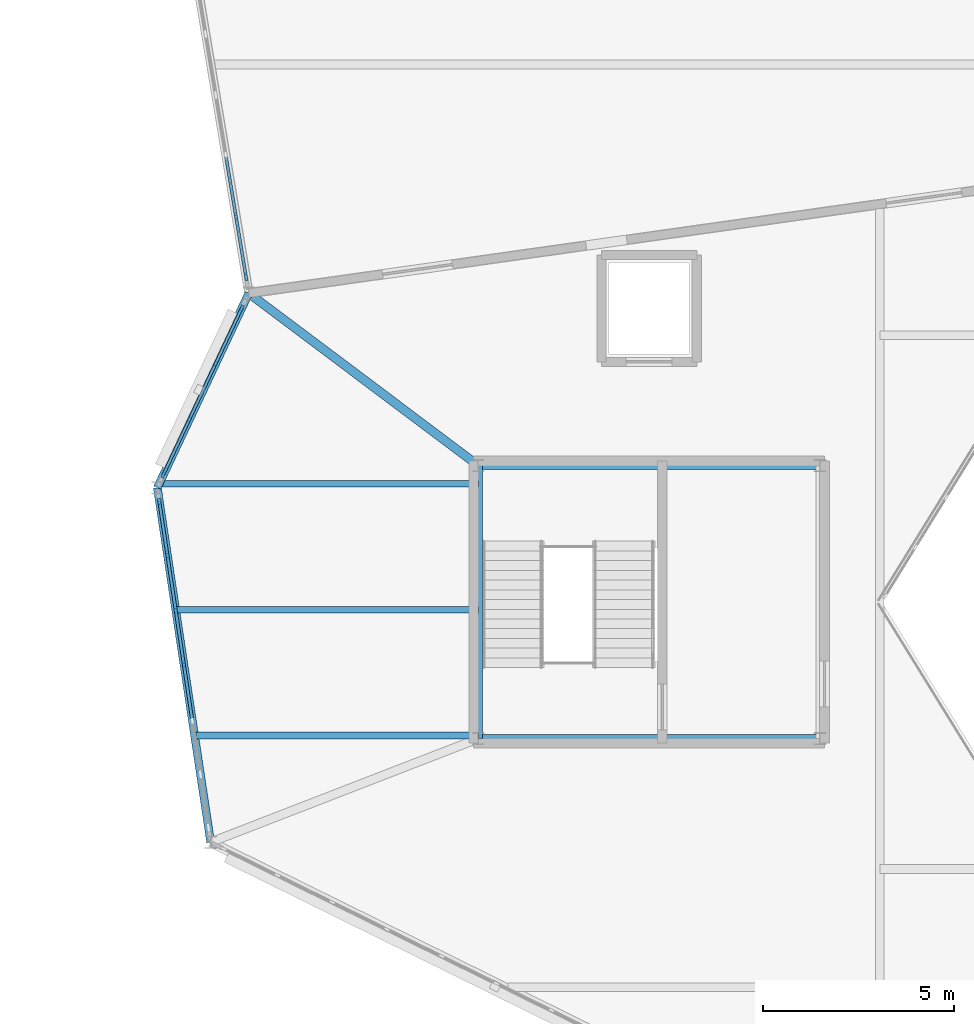
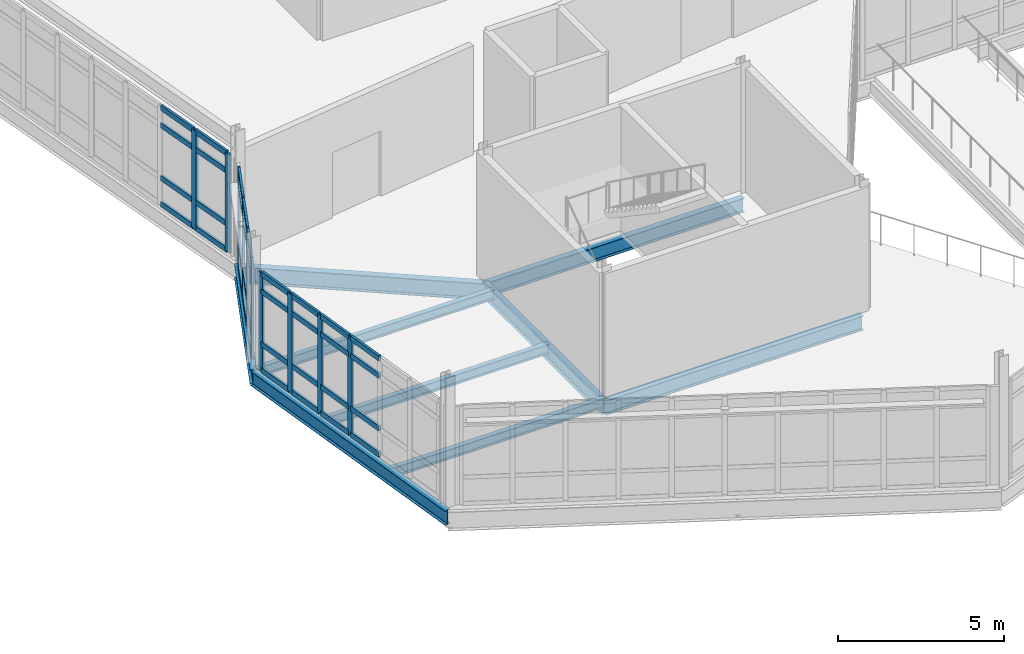
# One storey, part 15 of 76: 46 members, 9 beams, 3 elements without a shape of their own.
"""IFC4 building model written with IfcOpenShell, lengths in metres."""

from ifc_helpers import new_model, si_unit, direction, frame, origin, origin_2d, place, context, subcontext, project, spatial, rectangle, i_section, extrude, material, material_profile, profile_set, type_object, element, aggregate, save


model = new_model("IFC4")

# Units and contexts
model_context = context("Model", 3, precision=1e-05, world=origin(), true_north=direction((0.0, 1.0)))
body_context = subcontext(model_context, "Body", "Model", "MODEL_VIEW")
ifc_project = project(units=[si_unit("LENGTHUNIT", "METRE"), si_unit("AREAUNIT", "SQUARE_METRE"), si_unit("VOLUMEUNIT", "CUBIC_METRE"), si_unit("PLANEANGLEUNIT", "RADIAN"), si_unit("MASSUNIT", "GRAM", prefix="KILO")], contexts=[model_context])

# Site, building, storey
site_placement = place(None, origin())
site = spatial("IfcSite", under=ifc_project, at=site_placement, CompositionType="ELEMENT")
building_placement = place(site_placement, origin())
building = spatial("IfcBuilding", under=site, at=building_placement, Name="Tameran Prism Museum", CompositionType="ELEMENT")
storey_placement = place(building_placement, frame((0.0, 0.0, 15.0)))
storey = spatial("IfcBuildingStorey", under=building, at=storey_placement, Name="L03", CompositionType="ELEMENT", Elevation=15.0)

# Beams
ifc_material_1 = material(Name="Steel Grade 300PLUS (300 MPa)", Category="steel")
ifc_material_profile_1 = material_profile(ifc_material_1, i_section(OverallWidth=0.172119140625, OverallDepth=0.35888671875, WebThickness=0.008056640625, FlangeThickness=0.012939453125, FilletRadius=0.011474609375, at=origin_2d()))
ifc_profile_set_1 = profile_set([ifc_material_profile_1])
beam_type_1 = type_object("IfcBeamType", Name="BM-J360A", PredefinedType="JOIST", material=ifc_profile_set_1)
beam_1_placement = place(storey_placement, frame((50.618896484375, 33.0, -0.37939453125), z_axis=(1.0, 0.0, 0.0), x_axis=(0.0, 1.0, 0.0)))
element("IfcBeam", 1, at=beam_1_placement, inside=storey, type_object=beam_type_1, Name="Floor Beam BM-1083", PredefinedType="JOIST", context=body_context, shape_type="SweptSolid", body=[
    extrude(i_section(OverallWidth=0.172119140625, OverallDepth=0.35888671875, WebThickness=0.008056640625, FlangeThickness=0.012939453125, FilletRadius=0.011474609375, at=origin_2d()), origin(), (0.0, 0.0, 1.0), 7.401123046875),
])
beam_2_placement = place(storey_placement, frame((49.69091796875, 39.60009765625, -0.37939453125), z_axis=(1.0, 0.0, 0.0), x_axis=(0.0, 1.0, 0.0)))
element("IfcBeam", 2, at=beam_2_placement, inside=storey, type_object=beam_type_1, Name="Floor Beam BM-1085", PredefinedType="JOIST", context=body_context, shape_type="SweptSolid", body=[
    extrude(i_section(OverallWidth=0.172119140625, OverallDepth=0.35888671875, WebThickness=0.008056640625, FlangeThickness=0.012939453125, FilletRadius=0.011474609375, at=origin_2d()), origin(), (0.0, 0.0, 1.0), 8.3291015625),
])
ifc_material_2 = material(Name="Steel Grade 300PLUS (300 MPa)", Category="steel")
ifc_material_profile_2 = material_profile(ifc_material_2, i_section(OverallWidth=0.1708984375, OverallDepth=0.35595703125, WebThickness=0.00732421875, FlangeThickness=0.011474609375, FilletRadius=0.011474609375, at=origin_2d()))
ifc_profile_set_2 = profile_set([ifc_material_profile_2])
beam_type_2 = type_object("IfcBeamType", Name="BM-J360B", PredefinedType="JOIST", material=ifc_profile_set_2)
beam_3_placement = place(storey_placement, frame((50.1220703125, 36.300048828125, -0.3779296875), z_axis=(1.0, 0.0, 0.0), x_axis=(0.0, 1.0, 0.0)))
element("IfcBeam", 3, at=beam_3_placement, inside=storey, type_object=beam_type_2, Name="Floor Beam BM-1084", PredefinedType="JOIST", context=body_context, shape_type="SweptSolid", body=[
    extrude(i_section(OverallWidth=0.1708984375, OverallDepth=0.35595703125, WebThickness=0.00732421875, FlangeThickness=0.011474609375, FilletRadius=0.011474609375, at=origin_2d()), origin(), (0.0, 0.0, 1.0), 7.89794921875),
])
ifc_material_3 = material(Name="Steel Grade 300PLUS (300 MPa)", Category="steel")
ifc_material_profile_3 = material_profile(ifc_material_3, i_section(OverallWidth=0.208984375, OverallDepth=0.532958984375, WebThickness=0.01025390625, FlangeThickness=0.015625, FilletRadius=0.013916015625, at=origin_2d()))
ifc_profile_set_3 = profile_set([ifc_material_profile_3])
beam_type_3 = type_object("IfcBeamType", Name="BM-SP530A", PredefinedType="SPANDREL", material=ifc_profile_set_3)
beam_4_placement = place(storey_placement, frame((49.60009765625, 39.5, -0.466552734375), z_axis=(0.148849460064, -0.988859867847, 0.0), x_axis=(0.988859867847, 0.148849460064, 0.0)))
element("IfcBeam", 4, at=beam_4_placement, inside=storey, type_object=beam_type_3, Name="Perimeter Spandrel SP-0955", PredefinedType="SPANDREL", context=body_context, shape_type="SweptSolid", body=[
    extrude(i_section(OverallWidth=0.208984375, OverallDepth=0.532958984375, WebThickness=0.01025390625, FlangeThickness=0.015625, FilletRadius=0.013916015625, at=origin_2d()), origin(), (0.0, 0.0, 1.0), 9.40478515625),
])
ifc_material_4 = material(Name="Steel Grade 300PLUS (300 MPa)", Category="steel")
ifc_material_profile_4 = material_profile(ifc_material_4, i_section(OverallWidth=0.208984375, OverallDepth=0.528076171875, WebThickness=0.009521484375, FlangeThickness=0.01318359375, FilletRadius=0.013916015625, at=origin_2d()))
ifc_profile_set_4 = profile_set([ifc_material_profile_4])
beam_type_4 = type_object("IfcBeamType", Name="BM-SP530B", PredefinedType="SPANDREL", material=ifc_profile_set_4)
beam_5_placement = place(storey_placement, frame((52.0, 44.60009765625, -0.464111328125), z_axis=(-0.425776176805, -0.904828518154, 0.0), x_axis=(0.904828518154, -0.425776176805, 0.0)))
element("IfcBeam", 5, at=beam_5_placement, inside=storey, type_object=beam_type_4, Name="Perimeter Spandrel SP-0960", PredefinedType="SPANDREL", context=body_context, shape_type="SweptSolid", body=[
    extrude(i_section(OverallWidth=0.208984375, OverallDepth=0.528076171875, WebThickness=0.009521484375, FlangeThickness=0.01318359375, FilletRadius=0.013916015625, at=origin_2d()), origin(), (0.0, 0.0, 1.0), 5.636474609375),
])
for number, where, z_axis, x_axis, name in (
    (6, (58.02001953125, 32.919921875, -0.50390625), (1.0, 0.0, 0.0), (0.0, 1.0, 0.0), "Core Ring Beam CTB-1026"),
    (7, (66.97998046875, 40.080078125, -0.50390625), (-1.0, 0.0, 0.0), (0.0, -1.0, 0.0), "Core Ring Beam CTB-1028"),
):
    element("IfcBeam", number, at=place(storey_placement, frame(where, z_axis=z_axis, x_axis=x_axis)), inside=storey, type_object=beam_type_4, Name=name, PredefinedType="SPANDREL", context=body_context, shape_type="SweptSolid", body=[
        extrude(i_section(OverallWidth=0.208984375, OverallDepth=0.528076171875, WebThickness=0.009521484375, FlangeThickness=0.01318359375, FilletRadius=0.013916015625, at=origin_2d()), origin(), (0.0, 0.0, 1.0), 8.9599609375),
    ])
beam_6_placement = place(storey_placement, frame((58.02001953125, 40.080078125, -0.50390625), z_axis=(0.0, -1.0, 0.0), x_axis=(1.0, 0.0, 0.0)))
element("IfcBeam", 8, at=beam_6_placement, inside=storey, type_object=beam_type_4, Name="Core Ring Beam CTB-1029", PredefinedType="SPANDREL", context=body_context, shape_type="SweptSolid", body=[
    extrude(i_section(OverallWidth=0.208984375, OverallDepth=0.528076171875, WebThickness=0.009521484375, FlangeThickness=0.01318359375, FilletRadius=0.013916015625, at=origin_2d()), origin(), (0.0, 0.0, 1.0), 7.16015625),
])
ifc_material_5 = material(Name="Steel Grade 300PLUS (300 MPa)", Category="steel")
ifc_material_profile_5 = material_profile(ifc_material_5, i_section(OverallWidth=0.22900390625, OverallDepth=0.612060546875, WebThickness=0.011962890625, FlangeThickness=0.01953125, FilletRadius=0.013916015625, at=origin_2d()))
ifc_profile_set_5 = profile_set([ifc_material_profile_5])
beam_type_5 = type_object("IfcBeamType", Name="BM-UB610A", PredefinedType="BEAM", material=ifc_profile_set_5)
beam_7_placement = place(storey_placement, frame((58.02001953125, 40.080078125, -0.56005859375), z_axis=(-0.799680766937, 0.600425408349, 0.0), x_axis=(-0.600425408349, -0.799680766937, 0.0)))
element("IfcBeam", 9, at=beam_7_placement, inside=storey, type_object=beam_type_5, Name="Frame Tie Girder FG-1417", PredefinedType="BEAM", context=body_context, shape_type="SweptSolid", body=[
    extrude(i_section(OverallWidth=0.22900390625, OverallDepth=0.612060546875, WebThickness=0.011962890625, FlangeThickness=0.01953125, FilletRadius=0.013916015625, at=origin_2d()), origin(), (0.0, 0.0, 1.0), 7.528076171875),
])

# Curtain wall, members
ifc_material_6 = material(Name="Anodised Aluminium 6063-T6 and Cyclone Solar Glass", Category="aluminium")
curtain_wall_type_1 = type_object("IfcCurtainWallType", Name="CW-FAC-488x362", PredefinedType="USERDEFINED", material=ifc_material_6)
curtain_wall_1_placement = place(storey_placement, origin())
curtain_wall_1 = element("IfcCurtainWall", 10, at=curtain_wall_1_placement, inside=storey, type_object=curtain_wall_type_1, Name="Unitised Curtain Wall CW-137", ObjectType="UNITISED CURTAIN WALL", PredefinedType="USERDEFINED")
ifc_material_7 = material(Name="Anodised Aluminium Alloy 6063-T6", Category="aluminium")
ifc_material_profile_6 = material_profile(ifc_material_7, rectangle(XDim=0.074951171875, YDim=0.199951171875, at=origin_2d()))
ifc_profile_set_6 = profile_set([ifc_material_profile_6])
member_type_1 = type_object("IfcMemberType", Name="CW-MUL-C", PredefinedType="MULLION", material=ifc_profile_set_6)
member_1_placement = place(storey_placement, frame((49.764892578125, 39.850830078125, 0.0), z_axis=(0.0, 0.0, 1.0), x_axis=(-0.904837292661, 0.425757529364, 0.0)))
member_1 = element("IfcMember", 11, at=member_1_placement, type_object=member_type_1, Name="CW-137 mullion 1", PredefinedType="MULLION", context=body_context, shape_type="SweptSolid", body=[
    extrude(rectangle(XDim=0.074951171875, YDim=0.199951171875, at=origin_2d()), origin(), (0.0, 0.0, 1.0), 3.6201171875),
])
member_2_placement = place(storey_placement, frame((50.44091796875, 41.28759765625, 0.0), z_axis=(0.0, 0.0, 1.0), x_axis=(-0.904837292661, 0.425757529364, 0.0)))
member_2 = element("IfcMember", 12, at=member_2_placement, type_object=member_type_1, Name="CW-137 mullion 2", PredefinedType="MULLION", context=body_context, shape_type="SweptSolid", body=[
    extrude(rectangle(XDim=0.074951171875, YDim=0.199951171875, at=origin_2d()), origin(), (0.0, 0.0, 1.0), 3.6201171875),
])
member_3_placement = place(storey_placement, frame((51.133056640625, 42.75830078125, 0.0), z_axis=(0.0, 0.0, 1.0), x_axis=(-0.904837292661, 0.425757529364, 0.0)))
member_3 = element("IfcMember", 13, at=member_3_placement, type_object=member_type_1, Name="CW-137 mullion 3", PredefinedType="MULLION", context=body_context, shape_type="SweptSolid", body=[
    extrude(rectangle(XDim=0.074951171875, YDim=0.199951171875, at=origin_2d()), origin(), (0.0, 0.0, 1.0), 3.6201171875),
])
member_4_placement = place(storey_placement, frame((51.80908203125, 44.195068359375, 0.0), z_axis=(0.0, 0.0, 1.0), x_axis=(-0.904837292661, 0.425757529364, 0.0)))
member_4 = element("IfcMember", 14, at=member_4_placement, type_object=member_type_1, Name="CW-137 mullion 4", PredefinedType="MULLION", context=body_context, shape_type="SweptSolid", body=[
    extrude(rectangle(XDim=0.074951171875, YDim=0.199951171875, at=origin_2d()), origin(), (0.0, 0.0, 1.0), 3.6201171875),
])

ifc_material_8 = material(Name="Anodised Aluminium 6063-T6 and Cyclone Solar Glass", Category="aluminium")
curtain_wall_type_2 = type_object("IfcCurtainWallType", Name="CW-FAC-870x362", PredefinedType="USERDEFINED", material=ifc_material_8)
curtain_wall_2_placement = place(storey_placement, origin())
curtain_wall_2 = element("IfcCurtainWall", 15, at=curtain_wall_2_placement, inside=storey, type_object=curtain_wall_type_2, Name="Unitised Curtain Wall CW-134", ObjectType="UNITISED CURTAIN WALL", PredefinedType="USERDEFINED")
ifc_material_9 = material(Name="Anodised Aluminium Alloy 6063-T6", Category="aluminium")
ifc_material_profile_7 = material_profile(ifc_material_9, rectangle(XDim=0.080078125, YDim=0.219970703125, at=origin_2d()))
ifc_profile_set_7 = profile_set([ifc_material_profile_7])
member_type_2 = type_object("IfcMemberType", Name="CW-MUL-D", PredefinedType="MULLION", material=ifc_profile_set_7)
member_5_placement = place(storey_placement, frame((50.300048828125, 34.85009765625, 0.0), z_axis=(0.0, 0.0, 1.0), x_axis=(-0.988855314933, -0.148879703546, 0.0)))
member_5 = element("IfcMember", 16, at=member_5_placement, type_object=member_type_2, Name="CW-134 mullion 4", PredefinedType="MULLION", context=body_context, shape_type="SweptSolid", body=[
    extrude(rectangle(XDim=0.080078125, YDim=0.219970703125, at=origin_2d()), origin(), (0.0, 0.0, 1.0), 3.6201171875),
])
member_6_placement = place(storey_placement, frame((50.083984375, 36.28466796875, 0.0), z_axis=(0.0, 0.0, 1.0), x_axis=(-0.988855314933, -0.148879703546, 0.0)))
member_6 = element("IfcMember", 17, at=member_6_placement, type_object=member_type_2, Name="CW-134 mullion 5", PredefinedType="MULLION", context=body_context, shape_type="SweptSolid", body=[
    extrude(rectangle(XDim=0.080078125, YDim=0.219970703125, at=origin_2d()), origin(), (0.0, 0.0, 1.0), 3.6201171875),
])
member_7_placement = place(storey_placement, frame((49.867919921875, 37.71923828125, 0.0), z_axis=(0.0, 0.0, 1.0), x_axis=(-0.988855314933, -0.148879703546, 0.0)))
member_7 = element("IfcMember", 18, at=member_7_placement, type_object=member_type_2, Name="CW-134 mullion 6", PredefinedType="MULLION", context=body_context, shape_type="SweptSolid", body=[
    extrude(rectangle(XDim=0.080078125, YDim=0.219970703125, at=origin_2d()), origin(), (0.0, 0.0, 1.0), 3.6201171875),
])
member_8_placement = place(storey_placement, frame((49.657958984375, 39.114501953125, 0.0), z_axis=(0.0, 0.0, 1.0), x_axis=(-0.988855314933, -0.148879703546, 0.0)))
member_8 = element("IfcMember", 19, at=member_8_placement, type_object=member_type_2, Name="CW-134 mullion 7", PredefinedType="MULLION", context=body_context, shape_type="SweptSolid", body=[
    extrude(rectangle(XDim=0.080078125, YDim=0.219970703125, at=origin_2d()), origin(), (0.0, 0.0, 1.0), 3.6201171875),
])

ifc_material_10 = material(Name="Anodised Aluminium 6063-T6 and Cyclone Solar Glass", Category="aluminium")
curtain_wall_type_3 = type_object("IfcCurtainWallType", Name="CW-FAC-1135x362", PredefinedType="USERDEFINED", material=ifc_material_10)
curtain_wall_3_placement = place(storey_placement, origin())
curtain_wall_3 = element("IfcCurtainWall", 20, at=curtain_wall_3_placement, inside=storey, type_object=curtain_wall_type_3, Name="Unitised Curtain Wall CW-142", ObjectType="UNITISED CURTAIN WALL", PredefinedType="USERDEFINED")
member_9_placement = place(storey_placement, frame((51.925537109375, 45.04345703125, 0.0), z_axis=(0.0, 0.0, 1.0), x_axis=(-0.986412973539, -0.164284648199, 0.0)))
member_9 = element("IfcMember", 21, at=member_9_placement, type_object=member_type_2, Name="CW-142 mullion 1", PredefinedType="MULLION", context=body_context, shape_type="SweptSolid", body=[
    extrude(rectangle(XDim=0.080078125, YDim=0.219970703125, at=origin_2d()), origin(), (0.0, 0.0, 1.0), 3.6201171875),
])
member_10_placement = place(storey_placement, frame((51.665771484375, 46.602783203125, 0.0), z_axis=(0.0, 0.0, 1.0), x_axis=(-0.986412973539, -0.164284648199, 0.0)))
member_10 = element("IfcMember", 22, at=member_10_placement, type_object=member_type_2, Name="CW-142 mullion 2", PredefinedType="MULLION", context=body_context, shape_type="SweptSolid", body=[
    extrude(rectangle(XDim=0.080078125, YDim=0.219970703125, at=origin_2d()), origin(), (0.0, 0.0, 1.0), 3.6201171875),
])

# Member
ifc_material_11 = material(Name="Anodised Aluminium Alloy 6063-T6", Category="aluminium")
ifc_material_profile_8 = material_profile(ifc_material_11, rectangle(XDim=0.074951171875, YDim=0.175048828125, at=origin_2d()))
ifc_profile_set_8 = profile_set([ifc_material_profile_8])
member_type_3 = type_object("IfcMemberType", Name="CW-TRN-C", PredefinedType="USERDEFINED", material=ifc_profile_set_8)
member_11_placement = place(storey_placement, frame((49.781005859375, 39.884765625, 0.03759765625), z_axis=(0.425719316551, 0.904855272138, 0.0), x_axis=(-0.904855272138, 0.425719316551, 0.0)))
member_11 = element("IfcMember", 23, at=member_11_placement, type_object=member_type_3, Name="CW-137 transom 1.1", ObjectType="TRANSOM", PredefinedType="USERDEFINED", context=body_context, shape_type="SweptSolid", body=[
    extrude(rectangle(XDim=0.074951171875, YDim=0.175048828125, at=origin_2d()), origin(), (0.0, 0.0, 1.0), 1.512939453125),
])

member_12_placement = place(storey_placement, frame((49.781005859375, 39.884765625, 1.0), z_axis=(0.425719316551, 0.904855272138, 0.0), x_axis=(-0.904855272138, 0.425719316551, 0.0)))
member_12 = element("IfcMember", 24, at=member_12_placement, type_object=member_type_3, Name="CW-137 transom 1.2", ObjectType="TRANSOM", PredefinedType="USERDEFINED", context=body_context, shape_type="SweptSolid", body=[
    extrude(rectangle(XDim=0.074951171875, YDim=0.175048828125, at=origin_2d()), origin(), (0.0, 0.0, 1.0), 1.512939453125),
])

member_13_placement = place(storey_placement, frame((49.781005859375, 39.884765625, 2.93994140625), z_axis=(0.425719316551, 0.904855272138, 0.0), x_axis=(-0.904855272138, 0.425719316551, 0.0)))
member_13 = element("IfcMember", 25, at=member_13_placement, type_object=member_type_3, Name="CW-137 transom 1.3", ObjectType="TRANSOM", PredefinedType="USERDEFINED", context=body_context, shape_type="SweptSolid", body=[
    extrude(rectangle(XDim=0.074951171875, YDim=0.175048828125, at=origin_2d()), origin(), (0.0, 0.0, 1.0), 1.512939453125),
])

member_14_placement = place(storey_placement, frame((49.781005859375, 39.884765625, 3.58251953125), z_axis=(0.425719316551, 0.904855272138, 0.0), x_axis=(-0.904855272138, 0.425719316551, 0.0)))
member_14 = element("IfcMember", 26, at=member_14_placement, type_object=member_type_3, Name="CW-137 transom 1.4", ObjectType="TRANSOM", PredefinedType="USERDEFINED", context=body_context, shape_type="SweptSolid", body=[
    extrude(rectangle(XDim=0.074951171875, YDim=0.175048828125, at=origin_2d()), origin(), (0.0, 0.0, 1.0), 1.512939453125),
])

member_15_placement = place(storey_placement, frame((50.45703125, 41.321533203125, 0.03759765625), z_axis=(0.425668103724, 0.904879365149, 0.0), x_axis=(-0.904879365149, 0.425668103724, 0.0)))
member_15 = element("IfcMember", 27, at=member_15_placement, type_object=member_type_3, Name="CW-137 transom 2.1", ObjectType="TRANSOM", PredefinedType="USERDEFINED", context=body_context, shape_type="SweptSolid", body=[
    extrude(rectangle(XDim=0.074951171875, YDim=0.175048828125, at=origin_2d()), origin(), (0.0, 0.0, 1.0), 1.55029296875),
])

member_16_placement = place(storey_placement, frame((50.45703125, 41.321533203125, 1.0), z_axis=(0.425668103724, 0.904879365149, 0.0), x_axis=(-0.904879365149, 0.425668103724, 0.0)))
member_16 = element("IfcMember", 28, at=member_16_placement, type_object=member_type_3, Name="CW-137 transom 2.2", ObjectType="TRANSOM", PredefinedType="USERDEFINED", context=body_context, shape_type="SweptSolid", body=[
    extrude(rectangle(XDim=0.074951171875, YDim=0.175048828125, at=origin_2d()), origin(), (0.0, 0.0, 1.0), 1.55029296875),
])

member_17_placement = place(storey_placement, frame((50.45703125, 41.321533203125, 2.93994140625), z_axis=(0.425668103724, 0.904879365149, 0.0), x_axis=(-0.904879365149, 0.425668103724, 0.0)))
member_17 = element("IfcMember", 29, at=member_17_placement, type_object=member_type_3, Name="CW-137 transom 2.3", ObjectType="TRANSOM", PredefinedType="USERDEFINED", context=body_context, shape_type="SweptSolid", body=[
    extrude(rectangle(XDim=0.074951171875, YDim=0.175048828125, at=origin_2d()), origin(), (0.0, 0.0, 1.0), 1.55029296875),
])

member_18_placement = place(storey_placement, frame((50.45703125, 41.321533203125, 3.58251953125), z_axis=(0.425668103724, 0.904879365149, 0.0), x_axis=(-0.904879365149, 0.425668103724, 0.0)))
member_18 = element("IfcMember", 30, at=member_18_placement, type_object=member_type_3, Name="CW-137 transom 2.4", ObjectType="TRANSOM", PredefinedType="USERDEFINED", context=body_context, shape_type="SweptSolid", body=[
    extrude(rectangle(XDim=0.074951171875, YDim=0.175048828125, at=origin_2d()), origin(), (0.0, 0.0, 1.0), 1.55029296875),
])

member_19_placement = place(storey_placement, frame((51.14892578125, 42.792236328125, 0.03759765625), z_axis=(0.425719316551, 0.904855272138, 0.0), x_axis=(-0.904855272138, 0.425719316551, 0.0)))
member_19 = element("IfcMember", 31, at=member_19_placement, type_object=member_type_3, Name="CW-137 transom 3.1", ObjectType="TRANSOM", PredefinedType="USERDEFINED", context=body_context, shape_type="SweptSolid", body=[
    extrude(rectangle(XDim=0.074951171875, YDim=0.175048828125, at=origin_2d()), origin(), (0.0, 0.0, 1.0), 1.512939453125),
])

member_20_placement = place(storey_placement, frame((51.14892578125, 42.792236328125, 1.0), z_axis=(0.425719316551, 0.904855272138, 0.0), x_axis=(-0.904855272138, 0.425719316551, 0.0)))
member_20 = element("IfcMember", 32, at=member_20_placement, type_object=member_type_3, Name="CW-137 transom 3.2", ObjectType="TRANSOM", PredefinedType="USERDEFINED", context=body_context, shape_type="SweptSolid", body=[
    extrude(rectangle(XDim=0.074951171875, YDim=0.175048828125, at=origin_2d()), origin(), (0.0, 0.0, 1.0), 1.512939453125),
])

member_21_placement = place(storey_placement, frame((51.14892578125, 42.792236328125, 2.93994140625), z_axis=(0.425719316551, 0.904855272138, 0.0), x_axis=(-0.904855272138, 0.425719316551, 0.0)))
member_21 = element("IfcMember", 33, at=member_21_placement, type_object=member_type_3, Name="CW-137 transom 3.3", ObjectType="TRANSOM", PredefinedType="USERDEFINED", context=body_context, shape_type="SweptSolid", body=[
    extrude(rectangle(XDim=0.074951171875, YDim=0.175048828125, at=origin_2d()), origin(), (0.0, 0.0, 1.0), 1.512939453125),
])

member_22_placement = place(storey_placement, frame((51.14892578125, 42.792236328125, 3.58251953125), z_axis=(0.425719316551, 0.904855272138, 0.0), x_axis=(-0.904855272138, 0.425719316551, 0.0)))
member_22 = element("IfcMember", 34, at=member_22_placement, type_object=member_type_3, Name="CW-137 transom 3.4", ObjectType="TRANSOM", PredefinedType="USERDEFINED", context=body_context, shape_type="SweptSolid", body=[
    extrude(rectangle(XDim=0.074951171875, YDim=0.175048828125, at=origin_2d()), origin(), (0.0, 0.0, 1.0), 1.512939453125),
])

aggregate(curtain_wall_1, [member_1, member_2, member_3, member_4, member_11, member_12, member_13, member_14, member_15, member_16, member_17, member_18, member_19, member_20, member_21, member_22])

ifc_material_12 = material(Name="Anodised Aluminium Alloy 6063-T6", Category="aluminium")
ifc_material_profile_9 = material_profile(ifc_material_12, rectangle(XDim=0.080078125, YDim=0.195068359375, at=origin_2d()))
ifc_profile_set_9 = profile_set([ifc_material_profile_9])
member_type_4 = type_object("IfcMemberType", Name="CW-TRN-D", PredefinedType="USERDEFINED", material=ifc_profile_set_9)
member_23_placement = place(storey_placement, frame((50.510009765625, 33.454833984375, 0.0400390625), z_axis=(-0.148871612048, 0.988856533136, 0.0), x_axis=(-0.988856533136, -0.148871612048, 0.0)))
member_23 = element("IfcMember", 35, at=member_23_placement, type_object=member_type_4, Name="CW-134 transom 3.1", ObjectType="TRANSOM", PredefinedType="USERDEFINED", context=body_context, shape_type="SweptSolid", body=[
    extrude(rectangle(XDim=0.080078125, YDim=0.195068359375, at=origin_2d()), origin(), (0.0, 0.0, 1.0), 1.37109375),
])

member_24_placement = place(storey_placement, frame((50.510009765625, 33.454833984375, 1.0), z_axis=(-0.148871612048, 0.988856533136, 0.0), x_axis=(-0.988856533136, -0.148871612048, 0.0)))
member_24 = element("IfcMember", 36, at=member_24_placement, type_object=member_type_4, Name="CW-134 transom 3.2", ObjectType="TRANSOM", PredefinedType="USERDEFINED", context=body_context, shape_type="SweptSolid", body=[
    extrude(rectangle(XDim=0.080078125, YDim=0.195068359375, at=origin_2d()), origin(), (0.0, 0.0, 1.0), 1.37109375),
])

member_25_placement = place(storey_placement, frame((50.510009765625, 33.454833984375, 2.93994140625), z_axis=(-0.148871612048, 0.988856533136, 0.0), x_axis=(-0.988856533136, -0.148871612048, 0.0)))
member_25 = element("IfcMember", 37, at=member_25_placement, type_object=member_type_4, Name="CW-134 transom 3.3", ObjectType="TRANSOM", PredefinedType="USERDEFINED", context=body_context, shape_type="SweptSolid", body=[
    extrude(rectangle(XDim=0.080078125, YDim=0.195068359375, at=origin_2d()), origin(), (0.0, 0.0, 1.0), 1.37109375),
])

member_26_placement = place(storey_placement, frame((50.510009765625, 33.454833984375, 3.580078125), z_axis=(-0.148871612048, 0.988856533136, 0.0), x_axis=(-0.988856533136, -0.148871612048, 0.0)))
member_26 = element("IfcMember", 38, at=member_26_placement, type_object=member_type_4, Name="CW-134 transom 3.4", ObjectType="TRANSOM", PredefinedType="USERDEFINED", context=body_context, shape_type="SweptSolid", body=[
    extrude(rectangle(XDim=0.080078125, YDim=0.195068359375, at=origin_2d()), origin(), (0.0, 0.0, 1.0), 1.37109375),
])

member_27_placement = place(storey_placement, frame((50.2939453125, 34.8896484375, 0.0400390625), z_axis=(-0.148897831669, 0.988852585436, 0.0), x_axis=(-0.988852585436, -0.148897831669, 0.0)))
member_27 = element("IfcMember", 39, at=member_27_placement, type_object=member_type_4, Name="CW-134 transom 4.1", ObjectType="TRANSOM", PredefinedType="USERDEFINED", context=body_context, shape_type="SweptSolid", body=[
    extrude(rectangle(XDim=0.080078125, YDim=0.195068359375, at=origin_2d()), origin(), (0.0, 0.0, 1.0), 1.370849609375),
])

member_28_placement = place(storey_placement, frame((50.2939453125, 34.8896484375, 1.0), z_axis=(-0.148897831669, 0.988852585436, 0.0), x_axis=(-0.988852585436, -0.148897831669, 0.0)))
member_28 = element("IfcMember", 40, at=member_28_placement, type_object=member_type_4, Name="CW-134 transom 4.2", ObjectType="TRANSOM", PredefinedType="USERDEFINED", context=body_context, shape_type="SweptSolid", body=[
    extrude(rectangle(XDim=0.080078125, YDim=0.195068359375, at=origin_2d()), origin(), (0.0, 0.0, 1.0), 1.370849609375),
])

member_29_placement = place(storey_placement, frame((50.2939453125, 34.8896484375, 2.93994140625), z_axis=(-0.148897831669, 0.988852585436, 0.0), x_axis=(-0.988852585436, -0.148897831669, 0.0)))
member_29 = element("IfcMember", 41, at=member_29_placement, type_object=member_type_4, Name="CW-134 transom 4.3", ObjectType="TRANSOM", PredefinedType="USERDEFINED", context=body_context, shape_type="SweptSolid", body=[
    extrude(rectangle(XDim=0.080078125, YDim=0.195068359375, at=origin_2d()), origin(), (0.0, 0.0, 1.0), 1.370849609375),
])

member_30_placement = place(storey_placement, frame((50.2939453125, 34.8896484375, 3.580078125), z_axis=(-0.148897831669, 0.988852585436, 0.0), x_axis=(-0.988852585436, -0.148897831669, 0.0)))
member_30 = element("IfcMember", 42, at=member_30_placement, type_object=member_type_4, Name="CW-134 transom 4.4", ObjectType="TRANSOM", PredefinedType="USERDEFINED", context=body_context, shape_type="SweptSolid", body=[
    extrude(rectangle(XDim=0.080078125, YDim=0.195068359375, at=origin_2d()), origin(), (0.0, 0.0, 1.0), 1.370849609375),
])

member_31_placement = place(storey_placement, frame((50.078125, 36.32421875, 0.0400390625), z_axis=(-0.148897831669, 0.988852585436, 0.0), x_axis=(-0.988852585436, -0.148897831669, 0.0)))
member_31 = element("IfcMember", 43, at=member_31_placement, type_object=member_type_4, Name="CW-134 transom 5.1", ObjectType="TRANSOM", PredefinedType="USERDEFINED", context=body_context, shape_type="SweptSolid", body=[
    extrude(rectangle(XDim=0.080078125, YDim=0.195068359375, at=origin_2d()), origin(), (0.0, 0.0, 1.0), 1.370849609375),
])

member_32_placement = place(storey_placement, frame((50.078125, 36.32421875, 1.0), z_axis=(-0.148897831669, 0.988852585436, 0.0), x_axis=(-0.988852585436, -0.148897831669, 0.0)))
member_32 = element("IfcMember", 44, at=member_32_placement, type_object=member_type_4, Name="CW-134 transom 5.2", ObjectType="TRANSOM", PredefinedType="USERDEFINED", context=body_context, shape_type="SweptSolid", body=[
    extrude(rectangle(XDim=0.080078125, YDim=0.195068359375, at=origin_2d()), origin(), (0.0, 0.0, 1.0), 1.370849609375),
])

member_33_placement = place(storey_placement, frame((50.078125, 36.32421875, 2.93994140625), z_axis=(-0.148897831669, 0.988852585436, 0.0), x_axis=(-0.988852585436, -0.148897831669, 0.0)))
member_33 = element("IfcMember", 45, at=member_33_placement, type_object=member_type_4, Name="CW-134 transom 5.3", ObjectType="TRANSOM", PredefinedType="USERDEFINED", context=body_context, shape_type="SweptSolid", body=[
    extrude(rectangle(XDim=0.080078125, YDim=0.195068359375, at=origin_2d()), origin(), (0.0, 0.0, 1.0), 1.370849609375),
])

member_34_placement = place(storey_placement, frame((50.078125, 36.32421875, 3.580078125), z_axis=(-0.148897831669, 0.988852585436, 0.0), x_axis=(-0.988852585436, -0.148897831669, 0.0)))
member_34 = element("IfcMember", 46, at=member_34_placement, type_object=member_type_4, Name="CW-134 transom 5.4", ObjectType="TRANSOM", PredefinedType="USERDEFINED", context=body_context, shape_type="SweptSolid", body=[
    extrude(rectangle(XDim=0.080078125, YDim=0.195068359375, at=origin_2d()), origin(), (0.0, 0.0, 1.0), 1.370849609375),
])

member_35_placement = place(storey_placement, frame((49.862060546875, 37.7587890625, 0.0400390625), z_axis=(-0.14894137899, 0.988846027258, 0.0), x_axis=(-0.988846027258, -0.14894137899, 0.0)))
member_35 = element("IfcMember", 47, at=member_35_placement, type_object=member_type_4, Name="CW-134 transom 6.1", ObjectType="TRANSOM", PredefinedType="USERDEFINED", context=body_context, shape_type="SweptSolid", body=[
    extrude(rectangle(XDim=0.080078125, YDim=0.195068359375, at=origin_2d()), origin(), (0.0, 0.0, 1.0), 1.3310546875),
])

member_36_placement = place(storey_placement, frame((49.862060546875, 37.7587890625, 1.0), z_axis=(-0.14894137899, 0.988846027258, 0.0), x_axis=(-0.988846027258, -0.14894137899, 0.0)))
member_36 = element("IfcMember", 48, at=member_36_placement, type_object=member_type_4, Name="CW-134 transom 6.2", ObjectType="TRANSOM", PredefinedType="USERDEFINED", context=body_context, shape_type="SweptSolid", body=[
    extrude(rectangle(XDim=0.080078125, YDim=0.195068359375, at=origin_2d()), origin(), (0.0, 0.0, 1.0), 1.3310546875),
])

member_37_placement = place(storey_placement, frame((49.862060546875, 37.7587890625, 2.93994140625), z_axis=(-0.14894137899, 0.988846027258, 0.0), x_axis=(-0.988846027258, -0.14894137899, 0.0)))
member_37 = element("IfcMember", 49, at=member_37_placement, type_object=member_type_4, Name="CW-134 transom 6.3", ObjectType="TRANSOM", PredefinedType="USERDEFINED", context=body_context, shape_type="SweptSolid", body=[
    extrude(rectangle(XDim=0.080078125, YDim=0.195068359375, at=origin_2d()), origin(), (0.0, 0.0, 1.0), 1.3310546875),
])

member_38_placement = place(storey_placement, frame((49.862060546875, 37.7587890625, 3.580078125), z_axis=(-0.14894137899, 0.988846027258, 0.0), x_axis=(-0.988846027258, -0.14894137899, 0.0)))
member_38 = element("IfcMember", 50, at=member_38_placement, type_object=member_type_4, Name="CW-134 transom 6.4", ObjectType="TRANSOM", PredefinedType="USERDEFINED", context=body_context, shape_type="SweptSolid", body=[
    extrude(rectangle(XDim=0.080078125, YDim=0.195068359375, at=origin_2d()), origin(), (0.0, 0.0, 1.0), 1.3310546875),
])

aggregate(curtain_wall_2, [member_5, member_6, member_7, member_8, member_23, member_24, member_25, member_26, member_27, member_28, member_29, member_30, member_31, member_32, member_33, member_34, member_35, member_36, member_37, member_38])

member_39_placement = place(storey_placement, frame((51.9189453125, 45.0830078125, 0.0400390625), z_axis=(-0.164293472762, 0.986411503789, 0.0), x_axis=(-0.986411503789, -0.164293472762, 0.0)))
member_39 = element("IfcMember", 51, at=member_39_placement, type_object=member_type_4, Name="CW-142 transom 1.1", ObjectType="TRANSOM", PredefinedType="USERDEFINED", context=body_context, shape_type="SweptSolid", body=[
    extrude(rectangle(XDim=0.080078125, YDim=0.195068359375, at=origin_2d()), origin(), (0.0, 0.0, 1.0), 1.5009765625),
])

member_40_placement = place(storey_placement, frame((51.9189453125, 45.0830078125, 1.0), z_axis=(-0.164293472762, 0.986411503789, 0.0), x_axis=(-0.986411503789, -0.164293472762, 0.0)))
member_40 = element("IfcMember", 52, at=member_40_placement, type_object=member_type_4, Name="CW-142 transom 1.2", ObjectType="TRANSOM", PredefinedType="USERDEFINED", context=body_context, shape_type="SweptSolid", body=[
    extrude(rectangle(XDim=0.080078125, YDim=0.195068359375, at=origin_2d()), origin(), (0.0, 0.0, 1.0), 1.5009765625),
])

member_41_placement = place(storey_placement, frame((51.9189453125, 45.0830078125, 2.93994140625), z_axis=(-0.164293472762, 0.986411503789, 0.0), x_axis=(-0.986411503789, -0.164293472762, 0.0)))
member_41 = element("IfcMember", 53, at=member_41_placement, type_object=member_type_4, Name="CW-142 transom 1.3", ObjectType="TRANSOM", PredefinedType="USERDEFINED", context=body_context, shape_type="SweptSolid", body=[
    extrude(rectangle(XDim=0.080078125, YDim=0.195068359375, at=origin_2d()), origin(), (0.0, 0.0, 1.0), 1.5009765625),
])

member_42_placement = place(storey_placement, frame((51.9189453125, 45.0830078125, 3.580078125), z_axis=(-0.164293472762, 0.986411503789, 0.0), x_axis=(-0.986411503789, -0.164293472762, 0.0)))
member_42 = element("IfcMember", 54, at=member_42_placement, type_object=member_type_4, Name="CW-142 transom 1.4", ObjectType="TRANSOM", PredefinedType="USERDEFINED", context=body_context, shape_type="SweptSolid", body=[
    extrude(rectangle(XDim=0.080078125, YDim=0.195068359375, at=origin_2d()), origin(), (0.0, 0.0, 1.0), 1.5009765625),
])

member_43_placement = place(storey_placement, frame((51.6591796875, 46.642333984375, 0.0400390625), z_axis=(-0.164296218313, 0.986411046495, 0.0), x_axis=(-0.986411046495, -0.164296218313, 0.0)))
member_43 = element("IfcMember", 55, at=member_43_placement, type_object=member_type_4, Name="CW-142 transom 2.1", ObjectType="TRANSOM", PredefinedType="USERDEFINED", context=body_context, shape_type="SweptSolid", body=[
    extrude(rectangle(XDim=0.080078125, YDim=0.195068359375, at=origin_2d()), origin(), (0.0, 0.0, 1.0), 1.541015625),
])

member_44_placement = place(storey_placement, frame((51.6591796875, 46.642333984375, 1.0), z_axis=(-0.164296218313, 0.986411046495, 0.0), x_axis=(-0.986411046495, -0.164296218313, 0.0)))
member_44 = element("IfcMember", 56, at=member_44_placement, type_object=member_type_4, Name="CW-142 transom 2.2", ObjectType="TRANSOM", PredefinedType="USERDEFINED", context=body_context, shape_type="SweptSolid", body=[
    extrude(rectangle(XDim=0.080078125, YDim=0.195068359375, at=origin_2d()), origin(), (0.0, 0.0, 1.0), 1.541015625),
])

member_45_placement = place(storey_placement, frame((51.6591796875, 46.642333984375, 2.93994140625), z_axis=(-0.164296218313, 0.986411046495, 0.0), x_axis=(-0.986411046495, -0.164296218313, 0.0)))
member_45 = element("IfcMember", 57, at=member_45_placement, type_object=member_type_4, Name="CW-142 transom 2.3", ObjectType="TRANSOM", PredefinedType="USERDEFINED", context=body_context, shape_type="SweptSolid", body=[
    extrude(rectangle(XDim=0.080078125, YDim=0.195068359375, at=origin_2d()), origin(), (0.0, 0.0, 1.0), 1.541015625),
])

member_46_placement = place(storey_placement, frame((51.6591796875, 46.642333984375, 3.580078125), z_axis=(-0.164296218313, 0.986411046495, 0.0), x_axis=(-0.986411046495, -0.164296218313, 0.0)))
member_46 = element("IfcMember", 58, at=member_46_placement, type_object=member_type_4, Name="CW-142 transom 2.4", ObjectType="TRANSOM", PredefinedType="USERDEFINED", context=body_context, shape_type="SweptSolid", body=[
    extrude(rectangle(XDim=0.080078125, YDim=0.195068359375, at=origin_2d()), origin(), (0.0, 0.0, 1.0), 1.541015625),
])

aggregate(curtain_wall_3, [member_9, member_10, member_39, member_40, member_41, member_42, member_43, member_44, member_45, member_46])

save(model, "model.ifc")
